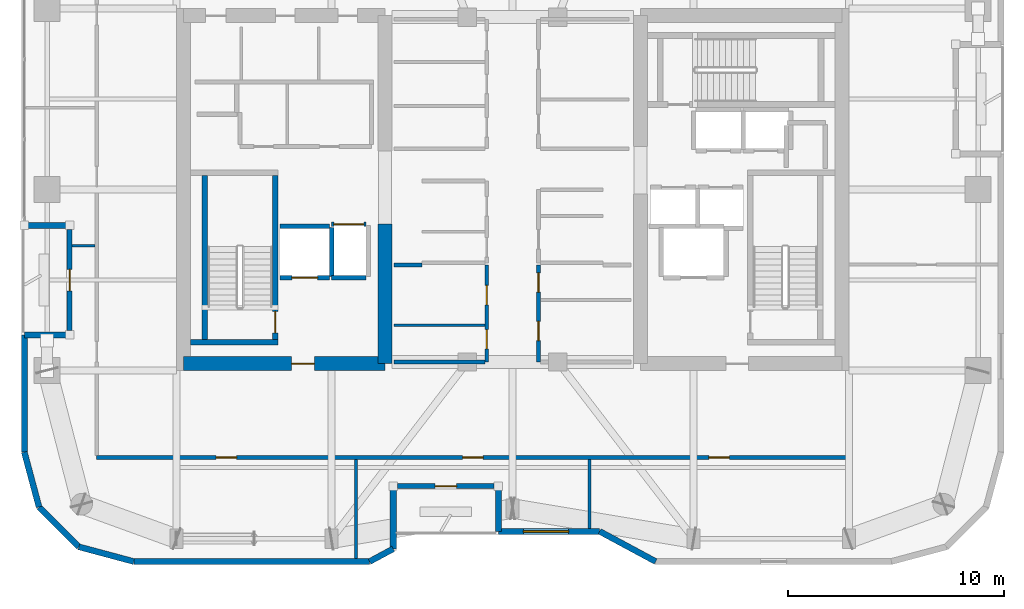
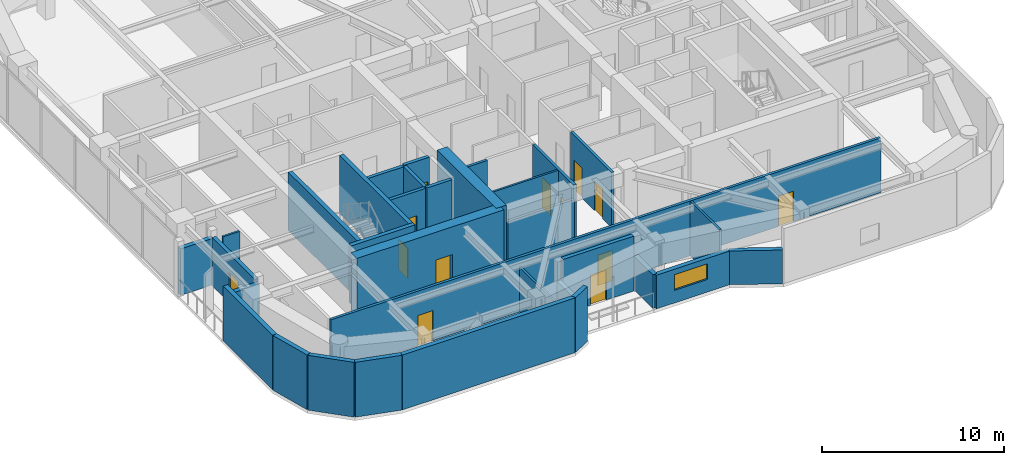
# One storey, part 15 of 21: 33 walls, 13 doors, 1 window, 14 openings.
"""IFC4 building model written with IfcOpenShell, lengths in metres."""

import ifcopenshell
import ifcopenshell.guid

model = None  # the IFC model being written
_history = None  # IfcOwnerHistory: only IFC2X3 demands one
_inside = {}  # id of a spatial element -> (the spatial element, [elements in it])
_under = {}  # id of a project, library or spatial element -> (it, [spatial elements below it])
_declared = {}  # id of a project -> (the project, [libraries it declares])
_typed = {}  # id of a type object -> (the type object, [elements of that type])
_made_of = {}  # id of a material, layer set ... -> (it, [elements and type objects made of it])


def new_model(schema):
    """Start an empty IFC model of exactly this schema.

    Asked for "IFC4X3", IfcOpenShell would pick the latest addendum, in which some entities
    have other attributes; the version numbers below select the first issue.
    IFC2X3 requires an IfcOwnerHistory on every rooted entity: one is made here for all.
    """
    global model, _history
    if schema == "IFC4X3":
        model = ifcopenshell.file(schema_version=(4, 3, 0, 0))
    else:
        model = ifcopenshell.file(schema=schema)
    _inside.clear()
    _under.clear()
    _declared.clear()
    _typed.clear()
    _made_of.clear()
    _history = None
    if model.schema == "IFC2X3":
        org = make("IfcOrganization", Name="unknown")
        user = make(
            "IfcPersonAndOrganization",
            ThePerson=make("IfcPerson", FamilyName="unknown"),
            TheOrganization=org,
        )
        app = make(
            "IfcApplication",
            ApplicationDeveloper=org,
            Version="unknown",
            ApplicationFullName="unknown",
            ApplicationIdentifier="unknown",
        )
        _history = make(
            "IfcOwnerHistory",
            OwningUser=user,
            OwningApplication=app,
            ChangeAction="ADDED",
            CreationDate=0,
        )
    return model


def make(cls, **values):
    """One entity of the class cls with the attributes given. An attribute that is None is left unset."""
    return model.create_entity(
        cls, **{name: value for name, value in values.items() if value is not None}
    )


def rooted(cls, **values):
    """An entity with a GlobalId (a new one), such as an element, a storey or a relation."""
    return make(cls, GlobalId=ifcopenshell.guid.new(), OwnerHistory=_history, **values)


def si_unit(unit_type, name, prefix=None):
    """IfcSIUnit, for example si_unit("LENGTHUNIT", "METRE", prefix="MILLI")."""
    return make("IfcSIUnit", UnitType=unit_type, Prefix=prefix, Name=name)


def assignment(units):
    """IfcUnitAssignment: the units of a project."""
    return None if units is None else make("IfcUnitAssignment", Units=units)


def point(xyz):
    """IfcCartesianPoint."""
    return None if xyz is None else make("IfcCartesianPoint", Coordinates=xyz)


def direction(xyz):
    """IfcDirection."""
    return None if xyz is None else make("IfcDirection", DirectionRatios=xyz)


def frame(location, z_axis=None, x_axis=None):
    """IfcAxis2Placement3D, a coordinate frame: its origin and axes. An axis left out is left unset."""
    return make(
        "IfcAxis2Placement3D",
        Location=point(location),
        Axis=direction(z_axis),
        RefDirection=direction(x_axis),
    )


def frame_2d(location, x_axis=None):
    """IfcAxis2Placement2D, a coordinate frame in the plane: its origin and x axis."""
    return make(
        "IfcAxis2Placement2D", Location=point(location), RefDirection=direction(x_axis)
    )


def origin():
    """The frame at (0, 0, 0) with its axes left unset."""
    return frame((0.0, 0.0, 0.0))


def place(relative_to, where):
    """IfcLocalPlacement: puts the frame where relative to a parent placement (None: the world)."""
    return make(
        "IfcLocalPlacement", PlacementRelTo=relative_to, RelativePlacement=where
    )


def context(
    kind, dimensions, precision=None, world=None, true_north=None, identifier=None
):
    """IfcGeometricRepresentationContext, for example the 3D "Model" context."""
    return make(
        "IfcGeometricRepresentationContext",
        ContextIdentifier=identifier,
        ContextType=kind,
        CoordinateSpaceDimension=dimensions,
        Precision=precision,
        WorldCoordinateSystem=world,
        TrueNorth=true_north,
    )


def subcontext(parent, identifier, kind, view, scale=None):
    """IfcGeometricRepresentationSubContext, for example "Body" below "Model"."""
    return make(
        "IfcGeometricRepresentationSubContext",
        ContextIdentifier=identifier,
        ContextType=kind,
        ParentContext=parent,
        TargetScale=scale,
        TargetView=view,
    )


def project(units=None, contexts=None):
    """IfcProject with its units and contexts."""
    return rooted(
        "IfcProject",
        Name="project",
        RepresentationContexts=contexts,
        UnitsInContext=assignment(units),
    )


def spatial(cls, under=None, at=None, **own):
    """A site, building, storey or space (cls), placed at a placement, below another one or the project."""
    s = rooted(cls, ObjectPlacement=at, **own)
    if under is not None:
        _under.setdefault(under.id(), (under, []))[1].append(s)
    return s


def profile(cls, at=None, kind="AREA", **sizes):
    """A parametric profile (cls). Its sizes go by their IFC names, for example OverallWidth=200.0."""
    return make(cls, ProfileType=kind, Position=at, **sizes)


def rectangle(**sizes):
    """IfcRectangleProfileDef."""
    return profile("IfcRectangleProfileDef", **sizes)


def extrude(swept, where, along, depth):
    """IfcExtrudedAreaSolid: the profile swept, set in the frame where, extruded along a direction by depth."""
    return make(
        "IfcExtrudedAreaSolid",
        SweptArea=swept,
        Position=where,
        ExtrudedDirection=direction(along),
        Depth=depth,
    )


def shape(context_of_items, identifier, shape_type, items):
    """IfcShapeRepresentation: the items that make up one representation, for example the "Body"."""
    return make(
        "IfcShapeRepresentation",
        ContextOfItems=context_of_items,
        RepresentationIdentifier=identifier,
        RepresentationType=shape_type,
        Items=items,
    )


def material(Name=None, Category=None):
    """IfcMaterial."""
    return make("IfcMaterial", Name=Name, Category=Category)


def layer(
    of_material, thickness, ventilated=None, Name=None, Category=None, Priority=None
):
    """IfcMaterialLayer: one layer of a wall or slab, of a material (None: an air gap)."""
    return make(
        "IfcMaterialLayer",
        Material=of_material,
        LayerThickness=thickness,
        IsVentilated=ventilated,
        Name=Name,
        Category=Category,
        Priority=Priority,
    )


def layer_set(layers, Name=None):
    """IfcMaterialLayerSet."""
    return make("IfcMaterialLayerSet", MaterialLayers=layers, LayerSetName=Name)


def made_of(thing, what):
    """Note that an element or type object is made of a material, layer set ...; save() writes the relation."""
    if what is not None:
        _made_of.setdefault(what.id(), (what, []))[1].append(thing)
    return thing


def type_object(cls, material=None, **own):
    """A type object (cls), such as IfcWallType, which elements share."""
    return made_of(rooted(cls, **own), material)


def element(
    cls,
    number,
    at=None,
    inside=None,
    cuts=None,
    type_object=None,
    material=None,
    context=None,
    identifier="Body",
    shape_type=None,
    held_by="IfcProductDefinitionShape",
    body=None,
    shapes=None,
    **own,
):
    """One element of the class cls, such as IfcWall. Its Tag is "e" and its number.

    at: its placement. inside: the storey or other place that contains it. cuts: it is an
    opening in that element (IfcRelVoidsElement). A single representation is given by context,
    identifier, shape_type and body (its items); several are given by shapes. held_by: the class
    of the entity that holds the representations. save() writes the other relations.
    """
    e = rooted(cls, Tag="e%d" % number, ObjectPlacement=at, **own)
    if body is not None:
        shapes = [shape(context, identifier, shape_type, body)]
    if shapes is not None:
        e.Representation = make(held_by, Representations=shapes)
    if inside is not None:
        _inside.setdefault(inside.id(), (inside, []))[1].append(e)
    if cuts is not None:
        rooted(
            "IfcRelVoidsElement", RelatingBuildingElement=cuts, RelatedOpeningElement=e
        )
    if type_object is not None:
        _typed.setdefault(type_object.id(), (type_object, []))[1].append(e)
    return made_of(e, material)


def fill(opening, filler):
    """IfcRelFillsElement: the door or window that sits in an opening."""
    return rooted(
        "IfcRelFillsElement",
        RelatingOpeningElement=opening,
        RelatedBuildingElement=filler,
    )


def aggregate(whole, parts):
    """IfcRelAggregates: a whole, such as a stair, and the parts it consists of."""
    return rooted("IfcRelAggregates", RelatingObject=whole, RelatedObjects=parts)


def save(model, path):
    """Write the relations noted so far, then the file.

    IfcRelAggregates (storeys below a building ...), IfcRelContainedInSpatialStructure (elements
    in a storey), IfcRelDefinesByType, IfcRelAssociatesMaterial and IfcRelDeclares: one each for
    every whole, place, type object, material and project.
    """
    for whole, parts in _under.values():
        aggregate(whole, parts)
    for where, things in _inside.values():
        rooted(
            "IfcRelContainedInSpatialStructure",
            RelatedElements=things,
            RelatingStructure=where,
        )
    for kind, things in _typed.values():
        rooted("IfcRelDefinesByType", RelatedObjects=things, RelatingType=kind)
    for what, things in _made_of.values():
        rooted("IfcRelAssociatesMaterial", RelatedObjects=things, RelatingMaterial=what)
    for by, libraries in _declared.values():
        rooted("IfcRelDeclares", RelatingContext=by, RelatedDefinitions=libraries)
    model.write(path)


model = new_model("IFC4")

# Units and contexts
model_context = context("Model", 3, precision=1e-05, world=origin(), true_north=direction((0.0, 1.0)))
body_context = subcontext(model_context, "Body", "Model", "MODEL_VIEW")
ifc_project = project(units=[si_unit("LENGTHUNIT", "METRE"), si_unit("AREAUNIT", "SQUARE_METRE"), si_unit("VOLUMEUNIT", "CUBIC_METRE"), si_unit("PLANEANGLEUNIT", "RADIAN"), si_unit("MASSUNIT", "GRAM", prefix="KILO")], contexts=[model_context])

# Site, building, storey
site_placement = place(None, origin())
site = spatial("IfcSite", under=ifc_project, at=site_placement, CompositionType="ELEMENT")
building_placement = place(site_placement, origin())
building = spatial("IfcBuilding", under=site, at=building_placement, Name="Kiyonajd Concourse Tower", CompositionType="ELEMENT")
storey_placement = place(building_placement, frame((0.0, 0.0, 223.199951171875)))
storey = spatial("IfcBuildingStorey", under=building, at=storey_placement, Name="L56", CompositionType="ELEMENT", Elevation=223.199951171875)

# Wall
ifc_material_1 = material(Name="Concrete C60/75", Category="concrete")
ifc_layer_1 = layer(ifc_material_1, 0.64990234375)
ifc_layer_set_1 = layer_set([ifc_layer_1], Name="Concrete C60/75")
wall_type_1 = type_object("IfcWallType", Name="WL-CORE-650", PredefinedType="SHEAR", material=ifc_layer_set_1)
wall_1_placement = place(storey_placement, frame((42.074951171875, 27.925048828125, 0.0), z_axis=(0.0, 0.0, 1.0), x_axis=(0.0, 1.0, 0.0)))
element("IfcWall", 1, at=wall_1_placement, inside=storey, type_object=wall_type_1, Name="L56 West Core Inner South Shear Wall", PredefinedType="SHEAR", context=body_context, shape_type="SweptSolid", body=[
    extrude(rectangle(XDim=6.474853515625, YDim=0.64990234375, at=frame_2d((3.2373046875, 0.0))), origin(), (0.0, 0.0, 1.0), 3.900146484375),
])

# Wall, opening, door
wall_2_placement = place(storey_placement, frame((32.72509765625, 27.925048828125, 0.0), z_axis=(0.0, 0.0, 1.0), x_axis=(1.0, 0.0, 0.0)))
wall_2 = element("IfcWall", 2, at=wall_2_placement, inside=storey, type_object=wall_type_1, Name="L56 West Core South Shear Wall", PredefinedType="SHEAR", context=body_context, shape_type="SweptSolid", body=[
    extrude(rectangle(XDim=9.349853515625, YDim=0.64990234375, at=frame_2d((4.6748046875, 0.0))), origin(), (0.0, 0.0, 1.0), 3.900146484375),
])
opening_1_placement = place(wall_2_placement, frame((5.02490234375, 0.0, 0.0)))
opening_1 = element("IfcOpeningElement", 3, at=opening_1_placement, cuts=wall_2, Name="Opening DF5", PredefinedType="OPENING", context=body_context, shape_type="SweptSolid", body=[
    extrude(rectangle(XDim=1.050048828125, YDim=2.0400390625, at=frame_2d((0.52490234375, 1.02001953125))), frame((0.0, 0.3349609375, 0.0), z_axis=(0.0, -1.0, 0.0), x_axis=(1.0, 0.0, 0.0)), (0.0, 0.0, 1.0), 0.669921875),
])
ifc_material_2 = material(Name="Brushed Stainless Steel Cab Assembly", Category="steel")
door_type_1 = type_object("IfcDoorType", Name="DR-FD45-1050", OperationType="NOTDEFINED", PredefinedType="DOOR", material=ifc_material_2)
door_1_placement = place(opening_1_placement, origin())
door_1 = element("IfcDoor", 4, at=door_1_placement, inside=storey, type_object=door_type_1, Name="L56 Firefighting Lift Lobby W Smoke Door", OperationType="SINGLE_SWING_LEFT", OverallHeight=2.0400390625, OverallWidth=1.050048828125, PredefinedType="DOOR", context=body_context, shape_type="SweptSolid", body=[
    extrude(rectangle(XDim=1.050048828125, YDim=2.0400390625, at=frame_2d((0.52490234375, 1.02001953125))), frame((0.0, 0.02490234375, 0.0), z_axis=(0.0, -1.0, 0.0), x_axis=(1.0, 0.0, 0.0)), (0.0, 0.0, 1.0), 0.050048828125),
])
fill(opening_1, door_1)

# Walls
ifc_material_3 = material(Name="Precast concrete C50/60", Category="concrete")
ifc_layer_2 = layer(ifc_material_3, 0.280029296875)
ifc_layer_set_2 = layer_set([ifc_layer_2], Name="Precast concrete C50/60")
wall_type_2 = type_object("IfcWallType", Name="WL-EXT-280", PredefinedType="SOLIDWALL", material=ifc_layer_set_2)
wall_3_placement = place(storey_placement, frame((26.0224609375, 21.2724609375, 0.0), z_axis=(0.0, 0.0, 1.0), x_axis=(-0.2588904131, 0.965906700466, 0.0)))
element("IfcWall", 5, at=wall_3_placement, inside=storey, type_object=wall_type_2, Name="L56 Exterior Concrete Frame Wall 00", PredefinedType="SOLIDWALL", context=body_context, shape_type="SweptSolid", body=[
    extrude(rectangle(XDim=2.6357421875, YDim=0.280029296875, at=frame_2d((1.31787109375, 0.0))), origin(), (0.0, 0.0, 1.0), 3.679931640625),
])
wall_4_placement = place(storey_placement, frame((25.340087890625, 23.818359375, 0.0), z_axis=(0.0, 0.0, 1.0), x_axis=(0.0, 1.0, 0.0)))
element("IfcWall", 6, at=wall_4_placement, inside=storey, type_object=wall_type_2, Name="L56 Exterior Concrete Frame Wall 01", PredefinedType="SOLIDWALL", context=body_context, shape_type="SweptSolid", body=[
    extrude(rectangle(XDim=5.441650390625, YDim=0.280029296875, at=frame_2d((2.720703125, 0.0))), origin(), (0.0, 0.0, 1.0), 3.679931640625),
])
for number, where, z_axis, x_axis, name in (
    (7, (25.340087890625, 29.260009765625, 0.0), (0.0, 0.0, 1.0), (1.0, 0.0, 0.0), "L56 Exterior Concrete Frame Wall 02"),
    (8, (27.43994140625, 34.340087890625, 0.0), (0.0, 0.0, 1.0), (-1.0, 0.0, 0.0), "L56 Exterior Concrete Frame Wall 04"),
):
    element("IfcWall", number, at=place(storey_placement, frame(where, z_axis=z_axis, x_axis=x_axis)), inside=storey, type_object=wall_type_2, Name=name, PredefinedType="SOLIDWALL", context=body_context, shape_type="SweptSolid", body=[
        extrude(rectangle(XDim=2.099853515625, YDim=0.280029296875, at=frame_2d((1.0498046875, 0.0))), origin(), (0.0, 0.0, 1.0), 3.115966796875),
    ])
wall_5_placement = place(storey_placement, frame((54.63525390625, 18.739990234375, 0.0), z_axis=(0.0, 0.0, 1.0), x_axis=(-0.880473754814, 0.474094892488, 0.0)))
element("IfcWall", 9, at=wall_5_placement, inside=storey, type_object=wall_type_2, Name="L56 Exterior Concrete Frame Wall 29", PredefinedType="SOLIDWALL", context=body_context, shape_type="SweptSolid", body=[
    extrude(rectangle(XDim=2.952880859375, YDim=0.280029296875, at=frame_2d((1.4765625, 0.0))), origin(), (0.0, 0.0, 1.0), 2.26513671875),
])

# Wall, opening, window
wall_6_placement = place(storey_placement, frame((52.035400390625, 20.139892578125, 0.0), z_axis=(0.0, 0.0, 1.0), x_axis=(-1.0, 0.0, 0.0)))
wall_6 = element("IfcWall", 10, at=wall_6_placement, inside=storey, type_object=wall_type_2, Name="L56 Exterior Concrete Frame Wall 30", PredefinedType="SOLIDWALL", context=body_context, shape_type="SweptSolid", body=[
    extrude(rectangle(XDim=4.6953125, YDim=0.280029296875, at=frame_2d((2.34765625, 0.0))), origin(), (0.0, 0.0, 1.0), 2.26513671875),
])
opening_2_placement = place(wall_6_placement, frame((1.43505859375, 0.0, 0.85009765625)))
opening_2 = element("IfcOpeningElement", 11, at=opening_2_placement, cuts=wall_6, Name="Opening WN5", PredefinedType="OPENING", context=body_context, shape_type="SweptSolid", body=[
    extrude(rectangle(XDim=2.10009765625, YDim=1.050048828125, at=frame_2d((1.050048828125, 0.52490234375))), frame((0.0, 0.14990234375, 0.0), z_axis=(0.0, -1.0, 0.0), x_axis=(1.0, 0.0, 0.0)), (0.0, 0.0, 1.0), 0.300048828125),
])
ifc_material_4 = material(Name="Double Low-E Insulated Glass", Category="glass")
window_type = type_object("IfcWindowType", Name="WN-VIS-2100x1050", PartitioningType="SINGLE_PANEL", PredefinedType="WINDOW", material=ifc_material_4)
window_placement = place(opening_2_placement, origin())
window = element("IfcWindow", 12, at=window_placement, inside=storey, type_object=window_type, Name="L56 Modular Facade Vision Window 30", OverallHeight=1.050048828125, OverallWidth=2.10009765625, PartitioningType="SINGLE_PANEL", PredefinedType="WINDOW", context=body_context, shape_type="SweptSolid", body=[
    extrude(rectangle(XDim=2.10009765625, YDim=1.050048828125, at=frame_2d((1.050048828125, 0.52490234375))), frame((0.0, 0.030029296875, 0.0), z_axis=(0.0, -1.0, 0.0), x_axis=(1.0, 0.0, 0.0)), (0.0, 0.0, 1.0), 0.06005859375),
])
fill(opening_2, window)

# Walls
wall_7_placement = place(storey_placement, frame((47.340087890625, 20.139892578125, 0.0), z_axis=(0.0, 0.0, 1.0), x_axis=(0.0, 1.0, 0.0)))
element("IfcWall", 13, at=wall_7_placement, inside=storey, type_object=wall_type_2, Name="L56 Exterior Concrete Frame Wall 31", PredefinedType="SOLIDWALL", context=body_context, shape_type="SweptSolid", body=[
    extrude(rectangle(XDim=2.10009765625, YDim=0.280029296875, at=frame_2d((1.050048828125, 0.0))), origin(), (0.0, 0.0, 1.0), 2.26513671875),
])
wall_8_placement = place(storey_placement, frame((42.4599609375, 22.239990234375, 0.0), z_axis=(0.0, 0.0, 1.0), x_axis=(0.0, -1.0, 0.0)))
element("IfcWall", 14, at=wall_8_placement, inside=storey, type_object=wall_type_2, Name="L56 Exterior Concrete Frame Wall 33", PredefinedType="SOLIDWALL", context=body_context, shape_type="SweptSolid", body=[
    extrude(rectangle(XDim=2.910400390625, YDim=0.280029296875, at=frame_2d((1.455078125, 0.0))), origin(), (0.0, 0.0, 1.0), 2.26513671875),
])
wall_9_placement = place(storey_placement, frame((42.4599609375, 19.32958984375, 0.0), z_axis=(0.0, 0.0, 1.0), x_axis=(-0.880515214249, -0.474017887296, 0.0)))
element("IfcWall", 15, at=wall_9_placement, inside=storey, type_object=wall_type_2, Name="L56 Exterior Concrete Frame Wall 34", PredefinedType="SOLIDWALL", context=body_context, shape_type="SweptSolid", body=[
    extrude(rectangle(XDim=1.243896484375, YDim=0.280029296875, at=frame_2d((0.6220703125, 0.0))), origin(), (0.0, 0.0, 1.0), 3.679931640625),
])
wall_10_placement = place(storey_placement, frame((41.36474609375, 18.739990234375, 0.0), z_axis=(0.0, 0.0, 1.0), x_axis=(-1.0, 0.0, 0.0)))
element("IfcWall", 16, at=wall_10_placement, inside=storey, type_object=wall_type_2, Name="L56 Exterior Concrete Frame Wall 35", PredefinedType="SOLIDWALL", context=body_context, shape_type="SweptSolid", body=[
    extrude(rectangle(XDim=10.9462890625, YDim=0.280029296875, at=frame_2d((5.47314453125, 0.0))), origin(), (0.0, 0.0, 1.0), 3.679931640625),
])
wall_11_placement = place(storey_placement, frame((30.41845703125, 18.739990234375, 0.0), z_axis=(0.0, 0.0, 1.0), x_axis=(-0.965883534663, 0.258976828051, 0.0)))
element("IfcWall", 17, at=wall_11_placement, inside=storey, type_object=wall_type_2, Name="L56 Exterior Concrete Frame Wall 36", PredefinedType="SOLIDWALL", context=body_context, shape_type="SweptSolid", body=[
    extrude(rectangle(XDim=2.6357421875, YDim=0.280029296875, at=frame_2d((1.31787109375, 0.0))), origin(), (0.0, 0.0, 1.0), 3.679931640625),
])
wall_12_placement = place(storey_placement, frame((27.87255859375, 19.422607421875, 0.0), z_axis=(0.0, 0.0, 1.0), x_axis=(-0.707153437963, 0.707060121331, 0.0)))
element("IfcWall", 18, at=wall_12_placement, inside=storey, type_object=wall_type_2, Name="L56 Exterior Concrete Frame Wall 37", PredefinedType="SOLIDWALL", context=body_context, shape_type="SweptSolid", body=[
    extrude(rectangle(XDim=2.6162109375, YDim=0.280029296875, at=frame_2d((1.30810546875, 0.0))), origin(), (0.0, 0.0, 1.0), 3.679931640625),
])

# Wall, opening, door
ifc_layer_3 = layer(ifc_material_3, 0.239990234375)
ifc_layer_set_3 = layer_set([ifc_layer_3], Name="Precast concrete C50/60")
wall_type_3 = type_object("IfcWallType", Name="WL-LOG-240", PredefinedType="SOLIDWALL", material=ifc_layer_set_3)
wall_13_placement = place(storey_placement, frame((27.43994140625, 29.455078125, 0.0), z_axis=(0.0, 0.0, 1.0), x_axis=(0.0, 1.0, 0.0)))
wall_13 = element("IfcWall", 19, at=wall_13_placement, inside=storey, type_object=wall_type_3, Name="L56 Recessed Loggia Thermal Wall LOG-W", PredefinedType="SOLIDWALL", context=body_context, shape_type="SweptSolid", body=[
    extrude(rectangle(XDim=4.68994140625, YDim=0.239990234375, at=frame_2d((2.344970703125, 0.0))), origin(), (0.0, 0.0, 1.0), 3.248046875),
])
opening_3_placement = place(wall_13_placement, frame((1.844970703125, 0.0, 0.0)))
opening_3 = element("IfcOpeningElement", 20, at=opening_3_placement, cuts=wall_13, Name="Opening DL1", PredefinedType="OPENING", context=body_context, shape_type="SweptSolid", body=[
    extrude(rectangle(XDim=1.0, YDim=2.02001953125, at=frame_2d((0.5, 1.010009765625))), frame((0.0, 0.1298828125, 0.0), z_axis=(0.0, -1.0, 0.0), x_axis=(1.0, 0.0, 0.0)), (0.0, 0.0, 1.0), 0.260009765625),
])
ifc_material_5 = material(Name="Thermally Broken Anodised Aluminium", Category="aluminium")
door_type_2 = type_object("IfcDoorType", Name="DR-LOG-1000", OperationType="NOTDEFINED", PredefinedType="DOOR", material=ifc_material_5)
door_2_placement = place(opening_3_placement, origin())
door_2 = element("IfcDoor", 21, at=door_2_placement, inside=storey, type_object=door_type_2, Name="L56 Engawa Loggia Access Door LOG-W", OperationType="SINGLE_SWING_LEFT", OverallHeight=2.02001953125, OverallWidth=1.0, PredefinedType="DOOR", context=body_context, shape_type="SweptSolid", body=[
    extrude(rectangle(XDim=1.0, YDim=2.02001953125, at=frame_2d((0.5, 1.010009765625))), frame((0.0, 0.02490234375, 0.0), z_axis=(0.0, -1.0, 0.0), x_axis=(1.0, 0.0, 0.0)), (0.0, 0.0, 1.0), 0.050048828125),
])
fill(opening_3, door_2)

wall_14_placement = place(storey_placement, frame((47.14501953125, 22.239990234375, 0.0), z_axis=(0.0, 0.0, 1.0), x_axis=(-1.0, 0.0, 0.0)))
wall_14 = element("IfcWall", 22, at=wall_14_placement, inside=storey, type_object=wall_type_3, Name="L56 Recessed Loggia Thermal Wall LOG-S", PredefinedType="SOLIDWALL", context=body_context, shape_type="SweptSolid", body=[
    extrude(rectangle(XDim=4.489990234375, YDim=0.239990234375, at=frame_2d((2.2451171875, 0.0))), origin(), (0.0, 0.0, 1.0), 3.679931640625),
])
opening_4_placement = place(wall_14_placement, frame((1.7451171875, 0.0, 0.0)))
opening_4 = element("IfcOpeningElement", 23, at=opening_4_placement, cuts=wall_14, Name="Opening DL1", PredefinedType="OPENING", context=body_context, shape_type="SweptSolid", body=[
    extrude(rectangle(XDim=1.0, YDim=2.02001953125, at=frame_2d((0.5, 1.010009765625))), frame((0.0, 0.1298828125, 0.0), z_axis=(0.0, -1.0, 0.0), x_axis=(1.0, 0.0, 0.0)), (0.0, 0.0, 1.0), 0.260009765625),
])
door_3_placement = place(opening_4_placement, origin())
door_3 = element("IfcDoor", 24, at=door_3_placement, inside=storey, type_object=door_type_2, Name="L56 Engawa Loggia Access Door LOG-S", OperationType="SINGLE_SWING_RIGHT", OverallHeight=2.02001953125, OverallWidth=1.0, PredefinedType="DOOR", context=body_context, shape_type="SweptSolid", body=[
    extrude(rectangle(XDim=1.0, YDim=2.02001953125, at=frame_2d((0.5, 1.010009765625))), frame((0.0, 0.02490234375, 0.0), z_axis=(0.0, -1.0, 0.0), x_axis=(1.0, 0.0, 0.0)), (0.0, 0.0, 1.0), 0.050048828125),
])
fill(opening_4, door_3)

# Walls
ifc_material_6 = material(Name="Gypsum Board on Cold-Formed Steel Stud", Category="steel")
ifc_layer_4 = layer(ifc_material_6, 0.125)
ifc_layer_set_4 = layer_set([ifc_layer_4], Name="Gypsum Board on Cold-Formed Steel Stud")
wall_type_4 = type_object("IfcWallType", Name="WL-PART-125", PredefinedType="PARTITIONING", material=ifc_layer_set_4)
wall_15_placement = place(storey_placement, frame((42.5, 29.7099609375, 0.0), z_axis=(0.0, 0.0, 1.0), x_axis=(1.0, 0.0, 0.0)))
element("IfcWall", 25, at=wall_15_placement, inside=storey, type_object=wall_type_4, Name="L56 Interior Partition Wall", PredefinedType="PARTITIONING", context=body_context, shape_type="SweptSolid", body=[
    extrude(rectangle(XDim=4.212890625, YDim=0.125, at=frame_2d((2.1064453125, 0.0))), origin(), (0.0, 0.0, 1.0), 3.679931640625),
])
wall_16_placement = place(storey_placement, frame((40.72998046875, 18.875, 0.0), z_axis=(0.0, 0.0, 1.0), x_axis=(0.0, 1.0, 0.0)))
element("IfcWall", 26, at=wall_16_placement, inside=storey, type_object=wall_type_4, Name="L56 Interior Partition Wall", PredefinedType="PARTITIONING", context=body_context, shape_type="SweptSolid", body=[
    extrude(rectangle(XDim=4.60791015625, YDim=0.125, at=frame_2d((2.303955078125, 0.0))), origin(), (0.0, 0.0, 1.0), 3.04296875),
])
wall_17_placement = place(storey_placement, frame((51.570068359375, 20.27490234375, 0.0), z_axis=(0.0, 0.0, 1.0), x_axis=(0.0, 1.0, 0.0)))
element("IfcWall", 27, at=wall_17_placement, inside=storey, type_object=wall_type_4, Name="L56 Interior Partition Wall", PredefinedType="PARTITIONING", context=body_context, shape_type="SweptSolid", body=[
    extrude(rectangle(XDim=3.2080078125, YDim=0.125, at=frame_2d((1.60400390625, 0.0))), origin(), (0.0, 0.0, 1.0), 3.679931640625),
])
wall_18_placement = place(storey_placement, frame((27.554931640625, 33.39990234375, 0.0), z_axis=(0.0, 0.0, 1.0), x_axis=(1.0, 0.0, 0.0)))
element("IfcWall", 28, at=wall_18_placement, inside=storey, type_object=wall_type_4, Name="L56 Interior Partition Wall", PredefinedType="PARTITIONING", context=body_context, shape_type="SweptSolid", body=[
    extrude(rectangle(XDim=1.05810546875, YDim=0.125, at=frame_2d((0.529052734375, 0.0))), origin(), (0.0, 0.0, 1.0), 3.679931640625),
])

# Wall, opening, door
ifc_layer_5 = layer(ifc_material_6, 0.2099609375)
ifc_layer_set_5 = layer_set([ifc_layer_5], Name="Gypsum Board on Cold-Formed Steel Stud")
wall_type_5 = type_object("IfcWallType", Name="WL-SHAFT-210", PredefinedType="PARTITIONING", material=ifc_layer_set_5)
wall_19_placement = place(storey_placement, frame((37.199951171875, 31.89990234375, 0.0), z_axis=(0.0, 0.0, 1.0), x_axis=(1.0, 0.0, 0.0)))
wall_19 = element("IfcWall", 29, at=wall_19_placement, inside=storey, type_object=wall_type_5, Name="L56 Shaft Enclosure Wall", PredefinedType="PARTITIONING", context=body_context, shape_type="SweptSolid", body=[
    extrude(rectangle(XDim=2.300048828125, YDim=0.2099609375, at=frame_2d((1.14990234375, 0.0))), origin(), (0.0, 0.0, 1.0), 3.679931640625),
])
opening_5_placement = place(wall_19_placement, frame((0.550048828125, 0.0, 0.0)))
opening_5 = element("IfcOpeningElement", 30, at=opening_5_placement, cuts=wall_19, Name="Opening LD2", PredefinedType="OPENING", context=body_context, shape_type="SweptSolid", body=[
    extrude(rectangle(XDim=1.199951171875, YDim=2.0400390625, at=frame_2d((0.60009765625, 1.02001953125))), frame((0.0, 0.114990234375, 0.0), z_axis=(0.0, -1.0, 0.0), x_axis=(1.0, 0.0, 0.0)), (0.0, 0.0, 1.0), 0.22998046875),
])
door_type_3 = type_object("IfcDoorType", Name="DR-LD-1200", OperationType="DOUBLE_DOOR_SLIDING", PredefinedType="DOOR", material=ifc_material_2)
door_4_placement = place(opening_5_placement, origin())
door_4 = element("IfcDoor", 31, at=door_4_placement, inside=storey, type_object=door_type_3, Name="L56 Lift FFL1 Sliding Landing Door", OperationType="DOUBLE_DOOR_SLIDING", OverallHeight=2.0400390625, OverallWidth=1.199951171875, PredefinedType="DOOR", context=body_context, shape_type="SweptSolid", body=[
    extrude(rectangle(XDim=1.199951171875, YDim=2.0400390625, at=frame_2d((0.60009765625, 1.02001953125))), frame((0.0, 0.02490234375, 0.0), z_axis=(0.0, -1.0, 0.0), x_axis=(1.0, 0.0, 0.0)), (0.0, 0.0, 1.0), 0.050048828125),
])
fill(opening_5, door_4)

# Walls
wall_20_placement = place(storey_placement, frame((37.199951171875, 34.300048828125, 0.0), z_axis=(0.0, 0.0, 1.0), x_axis=(1.0, 0.0, 0.0)))
element("IfcWall", 32, at=wall_20_placement, inside=storey, type_object=wall_type_5, Name="L56 Shaft Enclosure Wall", PredefinedType="PARTITIONING", context=body_context, shape_type="SweptSolid", body=[
    extrude(rectangle(XDim=2.300048828125, YDim=0.2099609375, at=frame_2d((1.14990234375, 0.0))), origin(), (0.0, 0.0, 1.0), 3.679931640625),
])
wall_21_placement = place(storey_placement, frame((39.60009765625, 31.9599609375, 0.0), z_axis=(0.0, 0.0, 1.0), x_axis=(0.0, 1.0, 0.0)))
element("IfcWall", 33, at=wall_21_placement, inside=storey, type_object=wall_type_5, Name="L56 Shaft Enclosure Wall", PredefinedType="PARTITIONING", context=body_context, shape_type="SweptSolid", body=[
    extrude(rectangle(XDim=2.280029296875, YDim=0.2099609375, at=frame_2d((1.14013671875, 0.0))), origin(), (0.0, 0.0, 1.0), 3.679931640625),
])

# Wall, opening, door
wall_22_placement = place(storey_placement, frame((39.60009765625, 34.39990234375, 0.0), z_axis=(0.0, 0.0, 1.0), x_axis=(1.0, 0.0, 0.0)))
wall_22 = element("IfcWall", 34, at=wall_22_placement, inside=storey, type_object=wall_type_5, Name="L56 Shaft Enclosure Wall", PredefinedType="PARTITIONING", context=body_context, shape_type="SweptSolid", body=[
    extrude(rectangle(XDim=1.599853515625, YDim=0.2099609375, at=frame_2d((0.7998046875, 0.0))), origin(), (0.0, 0.0, 1.0), 3.679931640625),
])
opening_6_placement = place(wall_22_placement, frame((0.10009765625, 0.0, 0.0)))
opening_6 = element("IfcOpeningElement", 35, at=opening_6_placement, cuts=wall_22, Name="Opening LD3", PredefinedType="OPENING", context=body_context, shape_type="SweptSolid", body=[
    extrude(rectangle(XDim=1.39990234375, YDim=2.06005859375, at=frame_2d((0.699951171875, 1.030029296875))), frame((0.0, 0.114990234375, 0.0), z_axis=(0.0, -1.0, 0.0), x_axis=(1.0, 0.0, 0.0)), (0.0, 0.0, 1.0), 0.22998046875),
])
door_type_4 = type_object("IfcDoorType", Name="DR-LD-1400", OperationType="DOUBLE_DOOR_SLIDING", PredefinedType="DOOR", material=ifc_material_2)
door_5_placement = place(opening_6_placement, origin())
door_5 = element("IfcDoor", 36, at=door_5_placement, inside=storey, type_object=door_type_4, Name="L56 Lift SVL1 Sliding Landing Door", OperationType="DOUBLE_DOOR_SLIDING", OverallHeight=2.06005859375, OverallWidth=1.39990234375, PredefinedType="DOOR", context=body_context, shape_type="SweptSolid", body=[
    extrude(rectangle(XDim=1.39990234375, YDim=2.06005859375, at=frame_2d((0.699951171875, 1.030029296875))), frame((0.0, 0.02490234375, 0.0), z_axis=(0.0, -1.0, 0.0), x_axis=(1.0, 0.0, 0.0)), (0.0, 0.0, 1.0), 0.050048828125),
])
fill(opening_6, door_5)

# Wall
wall_23_placement = place(storey_placement, frame((39.60009765625, 31.89990234375, 0.0), z_axis=(0.0, 0.0, 1.0), x_axis=(1.0, 0.0, 0.0)))
element("IfcWall", 37, at=wall_23_placement, inside=storey, type_object=wall_type_5, Name="L56 Shaft Enclosure Wall", PredefinedType="PARTITIONING", context=body_context, shape_type="SweptSolid", body=[
    extrude(rectangle(XDim=1.599853515625, YDim=0.2099609375, at=frame_2d((0.7998046875, 0.0))), origin(), (0.0, 0.0, 1.0), 3.679931640625),
])

# Wall, openings, doors
ifc_layer_6 = layer(ifc_material_6, 0.169921875)
ifc_layer_set_6 = layer_set([ifc_layer_6], Name="Gypsum Board on Cold-Formed Steel Stud")
wall_type_6 = type_object("IfcWallType", Name="WL-SMK-170", PredefinedType="PARTITIONING", material=ifc_layer_set_6)
wall_24_placement = place(storey_placement, frame((46.800048828125, 28.0, 0.0), z_axis=(0.0, 0.0, 1.0), x_axis=(0.0, 1.0, 0.0)))
wall_24 = element("IfcWall", 38, at=wall_24_placement, inside=storey, type_object=wall_type_6, Name="L56 Interior Partition Wall", PredefinedType="PARTITIONING", context=body_context, shape_type="SweptSolid", body=[
    extrude(rectangle(XDim=4.5, YDim=0.169921875, at=frame_2d((2.25, 0.0))), origin(), (0.0, 0.0, 1.0), 3.679931640625),
])
opening_7_placement = place(wall_24_placement, frame((0.60498046875, 0.0, 0.0)))
opening_7 = element("IfcOpeningElement", 39, at=opening_7_placement, cuts=wall_24, Name="Opening DI2", PredefinedType="OPENING", context=body_context, shape_type="SweptSolid", body=[
    extrude(rectangle(XDim=0.89990234375, YDim=2.02001953125, at=frame_2d((0.449951171875, 1.010009765625))), frame((0.0, 0.094970703125, 0.0), z_axis=(0.0, -1.0, 0.0), x_axis=(1.0, 0.0, 0.0)), (0.0, 0.0, 1.0), 0.18994140625),
])
opening_8_placement = place(wall_24_placement, frame((2.655029296875, 0.0, 0.0)))
opening_8 = element("IfcOpeningElement", 40, at=opening_8_placement, cuts=wall_24, Name="Opening DI2", PredefinedType="OPENING", context=body_context, shape_type="SweptSolid", body=[
    extrude(rectangle(XDim=0.89990234375, YDim=2.02001953125, at=frame_2d((0.449951171875, 1.010009765625))), frame((0.0, 0.094970703125, 0.0), z_axis=(0.0, -1.0, 0.0), x_axis=(1.0, 0.0, 0.0)), (0.0, 0.0, 1.0), 0.18994140625),
])
ifc_material_7 = material(Name="Natural Oak Acoustic Timber Veneer", Category="wood")
door_type_5 = type_object("IfcDoorType", Name="DR-INT-900", OperationType="NOTDEFINED", PredefinedType="DOOR", material=ifc_material_7)
door_6_placement = place(opening_7_placement, origin())
door_6 = element("IfcDoor", 41, at=door_6_placement, inside=storey, type_object=door_type_5, Name="L56 Interior Door", OperationType="SINGLE_SWING_LEFT", OverallHeight=2.02001953125, OverallWidth=0.89990234375, PredefinedType="DOOR", context=body_context, shape_type="SweptSolid", body=[
    extrude(rectangle(XDim=0.89990234375, YDim=2.02001953125, at=frame_2d((0.449951171875, 1.010009765625))), frame((0.0, 0.02490234375, 0.0), z_axis=(0.0, -1.0, 0.0), x_axis=(1.0, 0.0, 0.0)), (0.0, 0.0, 1.0), 0.050048828125),
])
fill(opening_7, door_6)
door_7_placement = place(opening_8_placement, origin())
door_7 = element("IfcDoor", 42, at=door_7_placement, inside=storey, type_object=door_type_5, Name="L56 Interior Door", OperationType="SINGLE_SWING_RIGHT", OverallHeight=2.02001953125, OverallWidth=0.89990234375, PredefinedType="DOOR", context=body_context, shape_type="SweptSolid", body=[
    extrude(rectangle(XDim=0.89990234375, YDim=2.02001953125, at=frame_2d((0.449951171875, 1.010009765625))), frame((0.0, 0.02490234375, 0.0), z_axis=(0.0, -1.0, 0.0), x_axis=(1.0, 0.0, 0.0)), (0.0, 0.0, 1.0), 0.050048828125),
])
fill(opening_8, door_7)

# Walls
wall_25_placement = place(storey_placement, frame((42.5, 28.0, 0.0), z_axis=(0.0, 0.0, 1.0), x_axis=(1.0, 0.0, 0.0)))
element("IfcWall", 43, at=wall_25_placement, inside=storey, type_object=wall_type_6, Name="L56 Interior Partition Wall", PredefinedType="PARTITIONING", context=body_context, shape_type="SweptSolid", body=[
    extrude(rectangle(XDim=4.212890625, YDim=0.169921875, at=frame_2d((2.1064453125, 0.0))), origin(), (0.0, 0.0, 1.0), 2.76513671875),
])
wall_26_placement = place(storey_placement, frame((42.5, 32.5, 0.0), z_axis=(0.0, 0.0, 1.0), x_axis=(1.0, 0.0, 0.0)))
element("IfcWall", 44, at=wall_26_placement, inside=storey, type_object=wall_type_6, Name="L56 Interior Partition Wall", PredefinedType="PARTITIONING", context=body_context, shape_type="SweptSolid", body=[
    extrude(rectangle(XDim=1.300048828125, YDim=0.169921875, at=frame_2d((0.64990234375, 0.0))), origin(), (0.0, 0.0, 1.0), 3.679931640625),
])

# Wall, openings, doors
wall_27_placement = place(storey_placement, frame((49.199951171875, 28.0, 0.0), z_axis=(0.0, 0.0, 1.0), x_axis=(0.0, 1.0, 0.0)))
wall_27 = element("IfcWall", 45, at=wall_27_placement, inside=storey, type_object=wall_type_6, Name="L56 Interior Partition Wall", PredefinedType="PARTITIONING", context=body_context, shape_type="SweptSolid", body=[
    extrude(rectangle(XDim=4.5, YDim=0.169921875, at=frame_2d((2.25, 0.0))), origin(), (0.0, 0.0, 1.0), 3.679931640625),
])
opening_9_placement = place(wall_27_placement, frame((0.989990234375, 0.0, 0.0)))
opening_9 = element("IfcOpeningElement", 46, at=opening_9_placement, cuts=wall_27, Name="Opening DF4", PredefinedType="OPENING", context=body_context, shape_type="SweptSolid", body=[
    extrude(rectangle(XDim=0.89990234375, YDim=2.02001953125, at=frame_2d((0.449951171875, 1.010009765625))), frame((0.0, 0.094970703125, 0.0), z_axis=(0.0, -1.0, 0.0), x_axis=(1.0, 0.0, 0.0)), (0.0, 0.0, 1.0), 0.18994140625),
])
opening_10_placement = place(wall_27_placement, frame((3.239990234375, 0.0, 0.0)))
opening_10 = element("IfcOpeningElement", 47, at=opening_10_placement, cuts=wall_27, Name="Opening DF4", PredefinedType="OPENING", context=body_context, shape_type="SweptSolid", body=[
    extrude(rectangle(XDim=0.89990234375, YDim=2.02001953125, at=frame_2d((0.449951171875, 1.010009765625))), frame((0.0, 0.094970703125, 0.0), z_axis=(0.0, -1.0, 0.0), x_axis=(1.0, 0.0, 0.0)), (0.0, 0.0, 1.0), 0.18994140625),
])
door_type_6 = type_object("IfcDoorType", Name="DR-FD60-900", OperationType="NOTDEFINED", PredefinedType="DOOR", material=ifc_material_2)
door_8_placement = place(opening_9_placement, origin())
door_8 = element("IfcDoor", 48, at=door_8_placement, inside=storey, type_object=door_type_6, Name="L56 Interior Door", OperationType="SINGLE_SWING_LEFT", OverallHeight=2.02001953125, OverallWidth=0.89990234375, PredefinedType="DOOR", context=body_context, shape_type="SweptSolid", body=[
    extrude(rectangle(XDim=0.89990234375, YDim=2.02001953125, at=frame_2d((0.449951171875, 1.010009765625))), frame((0.0, 0.02490234375, 0.0), z_axis=(0.0, -1.0, 0.0), x_axis=(1.0, 0.0, 0.0)), (0.0, 0.0, 1.0), 0.050048828125),
])
fill(opening_9, door_8)
door_9_placement = place(opening_10_placement, origin())
door_9 = element("IfcDoor", 49, at=door_9_placement, inside=storey, type_object=door_type_6, Name="L56 Interior Door", OperationType="SINGLE_SWING_RIGHT", OverallHeight=2.02001953125, OverallWidth=0.89990234375, PredefinedType="DOOR", context=body_context, shape_type="SweptSolid", body=[
    extrude(rectangle(XDim=0.89990234375, YDim=2.02001953125, at=frame_2d((0.449951171875, 1.010009765625))), frame((0.0, 0.02490234375, 0.0), z_axis=(0.0, -1.0, 0.0), x_axis=(1.0, 0.0, 0.0)), (0.0, 0.0, 1.0), 0.050048828125),
])
fill(opening_10, door_9)

wall_28_placement = place(storey_placement, frame((28.699951171875, 23.570068359375, 0.0), z_axis=(0.0, 0.0, 1.0), x_axis=(1.0, 0.0, 0.0)))
wall_28 = element("IfcWall", 50, at=wall_28_placement, inside=storey, type_object=wall_type_6, Name="L56 Interior Partition Wall", PredefinedType="PARTITIONING", context=body_context, shape_type="SweptSolid", body=[
    extrude(rectangle(XDim=34.900146484375, YDim=0.169921875, at=frame_2d((17.4501953125, 0.0))), origin(), (0.0, 0.0, 1.0), 3.679931640625),
])
opening_11_placement = place(wall_28_placement, frame((5.5400390625, 0.0, 0.0)))
opening_11 = element("IfcOpeningElement", 51, at=opening_11_placement, cuts=wall_28, Name="Opening DI1", PredefinedType="OPENING", context=body_context, shape_type="SweptSolid", body=[
    extrude(rectangle(XDim=0.949951171875, YDim=2.0400390625, at=frame_2d((0.47509765625, 1.02001953125))), frame((0.0, 0.094970703125, 0.0), z_axis=(0.0, -1.0, 0.0), x_axis=(1.0, 0.0, 0.0)), (0.0, 0.0, 1.0), 0.18994140625),
])
opening_12_placement = place(wall_28_placement, frame((16.97509765625, 0.0, 0.0)))
opening_12 = element("IfcOpeningElement", 52, at=opening_12_placement, cuts=wall_28, Name="Opening DI1", PredefinedType="OPENING", context=body_context, shape_type="SweptSolid", body=[
    extrude(rectangle(XDim=0.949951171875, YDim=2.0400390625, at=frame_2d((0.47509765625, 1.02001953125))), frame((0.0, 0.094970703125, 0.0), z_axis=(0.0, -1.0, 0.0), x_axis=(1.0, 0.0, 0.0)), (0.0, 0.0, 1.0), 0.18994140625),
])
opening_13_placement = place(wall_28_placement, frame((28.409912109375, 0.0, 0.0)))
opening_13 = element("IfcOpeningElement", 53, at=opening_13_placement, cuts=wall_28, Name="Opening DI1", PredefinedType="OPENING", context=body_context, shape_type="SweptSolid", body=[
    extrude(rectangle(XDim=0.949951171875, YDim=2.0400390625, at=frame_2d((0.47509765625, 1.02001953125))), frame((0.0, 0.094970703125, 0.0), z_axis=(0.0, -1.0, 0.0), x_axis=(1.0, 0.0, 0.0)), (0.0, 0.0, 1.0), 0.18994140625),
])
door_type_7 = type_object("IfcDoorType", Name="DR-INT-950", OperationType="NOTDEFINED", PredefinedType="DOOR", material=ifc_material_7)
door_10_placement = place(opening_11_placement, origin())
door_10 = element("IfcDoor", 54, at=door_10_placement, inside=storey, type_object=door_type_7, Name="L56 Interior Door", OperationType="SINGLE_SWING_RIGHT", OverallHeight=2.0400390625, OverallWidth=0.949951171875, PredefinedType="DOOR", context=body_context, shape_type="SweptSolid", body=[
    extrude(rectangle(XDim=0.949951171875, YDim=2.0400390625, at=frame_2d((0.47509765625, 1.02001953125))), frame((0.0, 0.02490234375, 0.0), z_axis=(0.0, -1.0, 0.0), x_axis=(1.0, 0.0, 0.0)), (0.0, 0.0, 1.0), 0.050048828125),
])
fill(opening_11, door_10)
door_11_placement = place(opening_12_placement, origin())
door_11 = element("IfcDoor", 55, at=door_11_placement, inside=storey, type_object=door_type_7, Name="L56 Interior Door", OperationType="SINGLE_SWING_LEFT", OverallHeight=2.0400390625, OverallWidth=0.949951171875, PredefinedType="DOOR", context=body_context, shape_type="SweptSolid", body=[
    extrude(rectangle(XDim=0.949951171875, YDim=2.0400390625, at=frame_2d((0.47509765625, 1.02001953125))), frame((0.0, 0.02490234375, 0.0), z_axis=(0.0, -1.0, 0.0), x_axis=(1.0, 0.0, 0.0)), (0.0, 0.0, 1.0), 0.050048828125),
])
fill(opening_12, door_11)
door_12_placement = place(opening_13_placement, origin())
door_12 = element("IfcDoor", 56, at=door_12_placement, inside=storey, type_object=door_type_7, Name="L56 Interior Door", OperationType="SINGLE_SWING_RIGHT", OverallHeight=2.0400390625, OverallWidth=0.949951171875, PredefinedType="DOOR", context=body_context, shape_type="SweptSolid", body=[
    extrude(rectangle(XDim=0.949951171875, YDim=2.0400390625, at=frame_2d((0.47509765625, 1.02001953125))), frame((0.0, 0.02490234375, 0.0), z_axis=(0.0, -1.0, 0.0), x_axis=(1.0, 0.0, 0.0)), (0.0, 0.0, 1.0), 0.050048828125),
])
fill(opening_13, door_12)

# Walls
ifc_material_8 = material(Name="Concrete C50/60", Category="concrete")
ifc_layer_7 = layer(ifc_material_8, 0.260009765625)
ifc_layer_set_7 = layer_set([ifc_layer_7], Name="Concrete C50/60")
wall_type_7 = type_object("IfcWallType", Name="WL-STAIR-260", PredefinedType="SHEAR", material=ifc_layer_set_7)
wall_29_placement = place(storey_placement, frame((33.050048828125, 28.919921875, 0.0), z_axis=(0.0, 0.0, 1.0), x_axis=(1.0, 0.0, 0.0)))
element("IfcWall", 57, at=wall_29_placement, inside=storey, type_object=wall_type_7, Name="L56 Stair ST1 Structural South Wall", PredefinedType="SHEAR", context=body_context, shape_type="SweptSolid", body=[
    extrude(rectangle(XDim=4.06005859375, YDim=0.260009765625, at=frame_2d((2.030029296875, 0.0))), origin(), (0.0, 0.0, 1.0), 3.900146484375),
])
wall_30_placement = place(storey_placement, frame((33.719970703125, 29.050048828125, 0.0), z_axis=(0.0, 0.0, 1.0), x_axis=(0.0, 1.0, 0.0)))
element("IfcWall", 58, at=wall_30_placement, inside=storey, type_object=wall_type_7, Name="L56 Stair ST1 Structural West Wall", PredefinedType="SHEAR", context=body_context, shape_type="SweptSolid", body=[
    extrude(rectangle(XDim=7.599853515625, YDim=0.260009765625, at=frame_2d((3.7998046875, 0.0))), origin(), (0.0, 0.0, 1.0), 3.900146484375),
])

# Wall, opening, door
wall_31_placement = place(storey_placement, frame((36.97998046875, 29.050048828125, 0.0), z_axis=(0.0, 0.0, 1.0), x_axis=(0.0, 1.0, 0.0)))
wall_31 = element("IfcWall", 59, at=wall_31_placement, inside=storey, type_object=wall_type_7, Name="L56 Stair ST1 Structural East Wall", PredefinedType="SHEAR", context=body_context, shape_type="SweptSolid", body=[
    extrude(rectangle(XDim=7.599853515625, YDim=0.260009765625, at=frame_2d((3.7998046875, 0.0))), origin(), (0.0, 0.0, 1.0), 3.900146484375),
])
opening_14_placement = place(wall_31_placement, frame((0.300048828125, 0.0, 0.0)))
opening_14 = element("IfcOpeningElement", 60, at=opening_14_placement, cuts=wall_31, Name="Opening DF1", PredefinedType="OPENING", context=body_context, shape_type="SweptSolid", body=[
    extrude(rectangle(XDim=1.0, YDim=2.0400390625, at=frame_2d((0.5, 1.02001953125))), frame((0.0, 0.139892578125, 0.0), z_axis=(0.0, -1.0, 0.0), x_axis=(1.0, 0.0, 0.0)), (0.0, 0.0, 1.0), 0.280029296875),
])
door_type_8 = type_object("IfcDoorType", Name="DR-FD90-1000", OperationType="NOTDEFINED", PredefinedType="DOOR", material=ifc_material_2)
door_13_placement = place(opening_14_placement, origin())
door_13 = element("IfcDoor", 61, at=door_13_placement, inside=storey, type_object=door_type_8, Name="L56 Stair ST1 FSAE Door", OperationType="SINGLE_SWING_LEFT", OverallHeight=2.0400390625, OverallWidth=1.0, PredefinedType="DOOR", context=body_context, shape_type="SweptSolid", body=[
    extrude(rectangle(XDim=1.0, YDim=2.0400390625, at=frame_2d((0.5, 1.02001953125))), frame((0.0, 0.02490234375, 0.0), z_axis=(0.0, -1.0, 0.0), x_axis=(1.0, 0.0, 0.0)), (0.0, 0.0, 1.0), 0.050048828125),
])
fill(opening_14, door_13)

save(model, "model.ifc")
